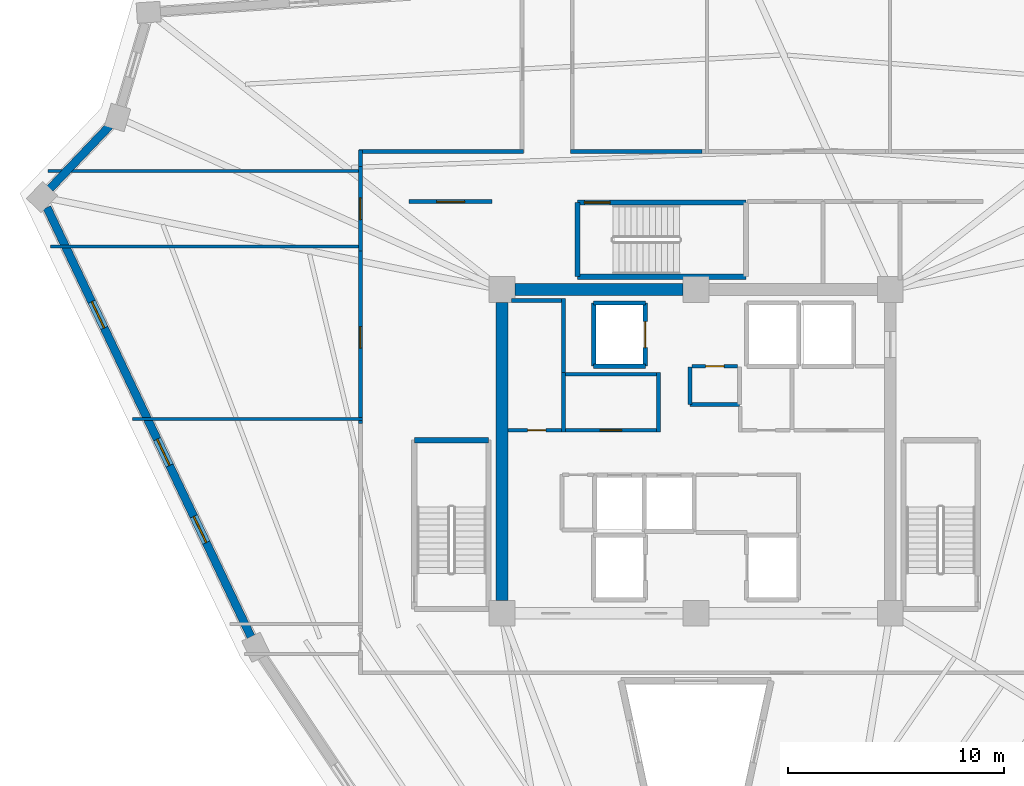
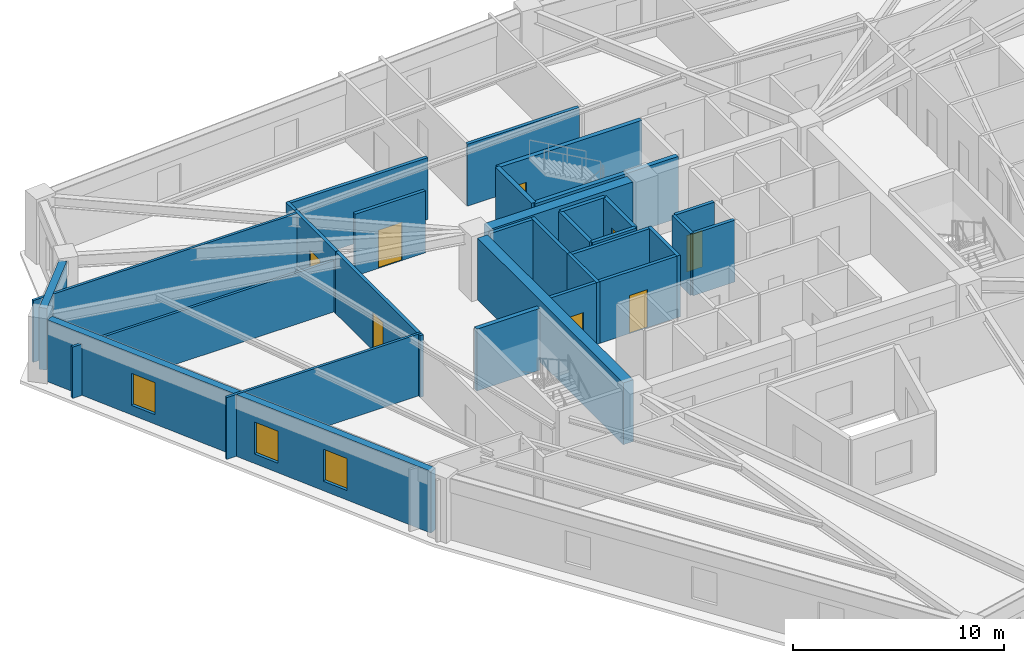
# One storey, part 5 of 8: 31 walls, 8 doors, 3 windows, 11 openings.
"""IFC4 building model written with IfcOpenShell, lengths in metres."""

from ifc_helpers import new_model, si_unit, direction, frame, frame_2d, origin, place, context, subcontext, project, spatial, rectangle, extrude, source, transform, mapped, material, layer, layer_set, type_object, element, fill, save


model = new_model("IFC4")

# Units and contexts
model_context = context("Model", 3, precision=1e-05, world=origin(), true_north=direction((0.0, 1.0)))
body_context = subcontext(model_context, "Body", "Model", "MODEL_VIEW")
ifc_project = project(units=[si_unit("LENGTHUNIT", "METRE"), si_unit("AREAUNIT", "SQUARE_METRE"), si_unit("VOLUMEUNIT", "CUBIC_METRE"), si_unit("PLANEANGLEUNIT", "RADIAN"), si_unit("MASSUNIT", "GRAM", prefix="KILO")], contexts=[model_context])

# Site, building, storey
site_placement = place(None, origin())
site = spatial("IfcSite", under=ifc_project, at=site_placement, CompositionType="ELEMENT")
building_placement = place(site_placement, origin())
building = spatial("IfcBuilding", under=site, at=building_placement, Name="Liaohun Quay Tower", CompositionType="ELEMENT")
storey_placement = place(building_placement, frame((0.0, 0.0, 297.75)))
storey = spatial("IfcBuildingStorey", under=building, at=storey_placement, Name="L77", CompositionType="ELEMENT", Elevation=297.75)

# Walls
ifc_material_1 = material(Name="Concrete C50", Category="concrete")
ifc_layer_1 = layer(ifc_material_1, 0.550048828125, Name="Concrete C50", Category="concrete")
ifc_layer_set_1 = layer_set([ifc_layer_1], Name="Concrete C50")
wall_type_1 = type_object("IfcWallType", Name="WAL-COR-Z4", PredefinedType="SHEAR", material=ifc_layer_set_1)
wall_1_placement = place(storey_placement, frame((51.60009765625, 61.5, 0.0), z_axis=(0.0, 0.0, 1.0), x_axis=(1.0, 0.0, 0.0)))
element("IfcWall", 1, at=wall_1_placement, inside=storey, type_object=wall_type_1, Name="L77 Central Core Shear Wall N-W", PredefinedType="SHEAR", context=body_context, shape_type="SweptSolid", body=[
    extrude(rectangle(XDim=7.7998046875, YDim=0.550048828125, at=frame_2d((3.89990234375, 0.0))), origin(), (0.0, 0.0, 1.0), 3.570068359375),
])
wall_2_placement = place(storey_placement, frame((51.0, 47.10009765625, 0.0), z_axis=(0.0, 0.0, 1.0), x_axis=(0.0, 1.0, 0.0)))
element("IfcWall", 2, at=wall_2_placement, inside=storey, type_object=wall_type_1, Name="L77 Central Core Shear Wall W", PredefinedType="SHEAR", context=body_context, shape_type="SweptSolid", body=[
    extrude(rectangle(XDim=13.7998046875, YDim=0.550048828125, at=frame_2d((6.89990234375, 0.0))), origin(), (0.0, 0.0, 1.0), 3.570068359375),
])
ifc_material_2 = material(Name="Precast concrete C50 insulated sandwich", Category="concrete")
ifc_layer_2 = layer(ifc_material_2, 0.3798828125, Name="Precast concrete C50 insulated sandwich", Category="concrete")
ifc_layer_set_2 = layer_set([ifc_layer_2], Name="Precast concrete C50 insulated sandwich")
wall_type_2 = type_object("IfcWallType", Name="WAL-EXT-Z34", PredefinedType="SOLIDWALL", material=ifc_layer_set_2)
wall_3_placement = place(storey_placement, frame((32.81591796875, 69.089111328125, 0.0), z_axis=(0.0, 0.0, 1.0), x_axis=(-0.689291723618, -0.72448389889, 0.0)))
element("IfcWall", 3, at=wall_3_placement, inside=storey, type_object=wall_type_2, Name="L77 Brutalist Precast Pier Wall 09", PredefinedType="SOLIDWALL", context=body_context, shape_type="SweptSolid", body=[
    extrude(rectangle(XDim=4.009765625, YDim=0.3798828125, at=frame_2d((2.0048828125, 0.0))), origin(), (0.0, 0.0, 1.0), 3.570068359375),
])

# Wall, openings, windows
wall_4_placement = place(storey_placement, frame((29.912109375, 65.304931640625, 0.0), z_axis=(0.0, 0.0, 1.0), x_axis=(0.429331226257, -0.903147107708, 0.0)))
wall_4 = element("IfcWall", 4, at=wall_4_placement, inside=storey, type_object=wall_type_2, Name="L77 Brutalist Precast Pier Wall 10", PredefinedType="SOLIDWALL", context=body_context, shape_type="SweptSolid", body=[
    extrude(rectangle(XDim=22.029541015625, YDim=0.3798828125, at=frame_2d((11.0146484375, 0.0))), origin(), (0.0, 0.0, 1.0), 3.570068359375),
])
shared_shape_1 = source(origin(), body_context, "Body", "SweptSolid", [
    extrude(rectangle(XDim=1.35009765625, YDim=1.85009765625, at=frame_2d((0.675048828125, 0.925048828125))), frame((0.0, 0.199951171875, 0.0), z_axis=(0.0, -1.0, 0.0), x_axis=(1.0, 0.0, 0.0)), (0.0, 0.0, 1.0), 0.39990234375),
])
opening_1_placement = place(wall_4_placement, frame((4.83203125, 0.0, 0.550048828125)))
opening_1 = element("IfcOpeningElement", 5, at=opening_1_placement, cuts=wall_4, Name="Opening W04", PredefinedType="OPENING", context=body_context, shape_type="MappedRepresentation", body=[
    mapped(shared_shape_1, transform((0.0, 0.0, 0.0), x_axis=(1.0, 0.0, 0.0), y_axis=(0.0, 1.0, 0.0), z_axis=(0.0, 0.0, 1.0), scale=1.0)),
])
opening_2_placement = place(wall_4_placement, frame((11.889892578125, 0.0, 0.550048828125)))
opening_2 = element("IfcOpeningElement", 6, at=opening_2_placement, cuts=wall_4, Name="Opening W04", PredefinedType="OPENING", context=body_context, shape_type="MappedRepresentation", body=[
    mapped(shared_shape_1, transform((0.0, 0.0, 0.0), x_axis=(1.0, 0.0, 0.0), y_axis=(0.0, 1.0, 0.0), z_axis=(0.0, 0.0, 1.0), scale=1.0)),
])
opening_3_placement = place(wall_4_placement, frame((15.846923828125, 0.0, 0.550048828125)))
opening_3 = element("IfcOpeningElement", 7, at=opening_3_placement, cuts=wall_4, Name="Opening W04", PredefinedType="OPENING", context=body_context, shape_type="MappedRepresentation", body=[
    mapped(shared_shape_1, transform((0.0, 0.0, 0.0), x_axis=(1.0, 0.0, 0.0), y_axis=(0.0, 1.0, 0.0), z_axis=(0.0, 0.0, 1.0), scale=1.0)),
])
ifc_material_3 = material(Name="Triple Low-E argon glazing in thermally broken aluminium", Category="aluminium")
window_type = type_object("IfcWindowType", Name="WIN-PUN-Z4", PartitioningType="SINGLE_PANEL", PredefinedType="WINDOW", material=ifc_material_3)
shared_shape_2 = source(origin(), body_context, "Body", "SweptSolid", [
    extrude(rectangle(XDim=1.35009765625, YDim=1.85009765625, at=frame_2d((0.675048828125, 0.925048828125))), frame((0.0, 0.030029296875, 0.0), z_axis=(0.0, -1.0, 0.0), x_axis=(1.0, 0.0, 0.0)), (0.0, 0.0, 1.0), 0.06005859375),
])
window_1_placement = place(opening_1_placement, origin())
window_1 = element("IfcWindow", 8, at=window_1_placement, inside=storey, type_object=window_type, Name="L77 Recessed Cold-Climate Punched Window 10-1", OverallHeight=1.85009765625, OverallWidth=1.35009765625, PartitioningType="SINGLE_PANEL", PredefinedType="WINDOW", context=body_context, shape_type="MappedRepresentation", body=[
    mapped(shared_shape_2, transform((0.0, 0.0, 0.0), x_axis=(1.0, 0.0, 0.0), y_axis=(0.0, 1.0, 0.0), z_axis=(0.0, 0.0, 1.0), scale=1.0)),
])
fill(opening_1, window_1)
window_2_placement = place(opening_2_placement, origin())
window_2 = element("IfcWindow", 9, at=window_2_placement, inside=storey, type_object=window_type, Name="L77 Recessed Cold-Climate Punched Window 10-2", OverallHeight=1.85009765625, OverallWidth=1.35009765625, PartitioningType="SINGLE_PANEL", PredefinedType="WINDOW", context=body_context, shape_type="MappedRepresentation", body=[
    mapped(shared_shape_2, transform((0.0, 0.0, 0.0), x_axis=(1.0, 0.0, 0.0), y_axis=(0.0, 1.0, 0.0), z_axis=(0.0, 0.0, 1.0), scale=1.0)),
])
fill(opening_2, window_2)
window_3_placement = place(opening_3_placement, origin())
window_3 = element("IfcWindow", 10, at=window_3_placement, inside=storey, type_object=window_type, Name="L77 Recessed Cold-Climate Punched Window 10-3", OverallHeight=1.85009765625, OverallWidth=1.35009765625, PartitioningType="SINGLE_PANEL", PredefinedType="WINDOW", context=body_context, shape_type="MappedRepresentation", body=[
    mapped(shared_shape_2, transform((0.0, 0.0, 0.0), x_axis=(1.0, 0.0, 0.0), y_axis=(0.0, 1.0, 0.0), z_axis=(0.0, 0.0, 1.0), scale=1.0)),
])
fill(opening_3, window_3)

# Wall, opening, door
ifc_material_4 = material(Name="Autoclaved aerated concrete blockwork", Category="masonry")
ifc_layer_3 = layer(ifc_material_4, 0.179931640625, Name="Autoclaved aerated concrete blockwork", Category="masonry")
ifc_layer_set_3 = layer_set([ifc_layer_3], Name="Autoclaved aerated concrete blockwork")
wall_type_3 = type_object("IfcWallType", Name="WAL-PRT-COR", PredefinedType="PARTITIONING", material=ifc_layer_set_3)
wall_5_placement = place(storey_placement, frame((53.93994140625, 54.97998046875, 0.0), z_axis=(0.0, 0.0, 1.0), x_axis=(1.0, 0.0, 0.0)))
wall_5 = element("IfcWall", 11, at=wall_5_placement, inside=storey, type_object=wall_type_3, Name="L77 Interior Partition Wall 002", PredefinedType="PARTITIONING", context=body_context, shape_type="SweptSolid", body=[
    extrude(rectangle(XDim=4.219970703125, YDim=0.179931640625, at=frame_2d((2.10986328125, 0.0))), origin(), (0.0, 0.0, 1.0), 3.570068359375),
])
shared_shape_3 = source(origin(), body_context, "Body", "SweptSolid", [
    extrude(rectangle(XDim=1.0, YDim=2.199951171875, at=frame_2d((0.5, 1.10009765625))), frame((0.0, 0.099853515625, 0.0), z_axis=(0.0, -1.0, 0.0), x_axis=(1.0, 0.0, 0.0)), (0.0, 0.0, 1.0), 0.199951171875),
])
opening_4_placement = place(wall_5_placement, frame((1.610107421875, 0.0, 0.0)))
opening_4 = element("IfcOpeningElement", 12, at=opening_4_placement, cuts=wall_5, Name="Opening OD1", PredefinedType="OPENING", context=body_context, shape_type="MappedRepresentation", body=[
    mapped(shared_shape_3, transform((0.0, 0.0, 0.0), x_axis=(1.0, 0.0, 0.0), y_axis=(0.0, 1.0, 0.0), z_axis=(0.0, 0.0, 1.0), scale=1.0)),
])
ifc_material_5 = material(Name="Solid-core oak veneer timber leaf in steel frame", Category="steel")
door_type_1 = type_object("IfcDoorType", Name="DOR-OFF-1000", OperationType="NOTDEFINED", PredefinedType="DOOR", material=ifc_material_5)
shared_shape_4 = source(origin(), body_context, "Body", "SweptSolid", [
    extrude(rectangle(XDim=1.0, YDim=2.199951171875, at=frame_2d((0.5, 1.10009765625))), frame((0.0, 0.02490234375, 0.0), z_axis=(0.0, -1.0, 0.0), x_axis=(1.0, 0.0, 0.0)), (0.0, 0.0, 1.0), 0.050048828125),
])
door_1_placement = place(opening_4_placement, origin())
door_1 = element("IfcDoor", 13, at=door_1_placement, inside=storey, type_object=door_type_1, Name="L77 Core Staff Pantry and Tea Room Door", OperationType="SINGLE_SWING_RIGHT", OverallHeight=2.199951171875, OverallWidth=1.0, PredefinedType="DOOR", context=body_context, shape_type="MappedRepresentation", body=[
    mapped(shared_shape_4, transform((0.0, 0.0, 0.0), x_axis=(1.0, 0.0, 0.0), y_axis=(0.0, 1.0, 0.0), z_axis=(0.0, 0.0, 1.0), scale=1.0)),
])
fill(opening_4, door_1)

wall_6_placement = place(storey_placement, frame((51.27490234375, 54.97998046875, 0.0), z_axis=(0.0, 0.0, 1.0), x_axis=(1.0, 0.0, 0.0)))
wall_6 = element("IfcWall", 14, at=wall_6_placement, inside=storey, type_object=wall_type_3, Name="L77 Interior Partition Wall 003", PredefinedType="PARTITIONING", context=body_context, shape_type="SweptSolid", body=[
    extrude(rectangle(XDim=2.485107421875, YDim=0.179931640625, at=frame_2d((1.24267578125, 0.0))), origin(), (0.0, 0.0, 1.0), 3.570068359375),
])
shared_shape_5 = source(origin(), body_context, "Body", "SweptSolid", [
    extrude(rectangle(XDim=0.85009765625, YDim=2.10009765625, at=frame_2d((0.425048828125, 1.050048828125))), frame((0.0, 0.099853515625, 0.0), z_axis=(0.0, -1.0, 0.0), x_axis=(1.0, 0.0, 0.0)), (0.0, 0.0, 1.0), 0.199951171875),
])
opening_5_placement = place(wall_6_placement, frame((0.9150390625, 0.0, 0.0)))
opening_5 = element("IfcOpeningElement", 15, at=opening_5_placement, cuts=wall_6, Name="Opening AD1", PredefinedType="OPENING", context=body_context, shape_type="MappedRepresentation", body=[
    mapped(shared_shape_5, transform((0.0, 0.0, 0.0), x_axis=(1.0, 0.0, 0.0), y_axis=(0.0, 1.0, 0.0), z_axis=(0.0, 0.0, 1.0), scale=1.0)),
])
ifc_material_6 = material(Name="Steel riser inspection fire door", Category="steel")
door_type_2 = type_object("IfcDoorType", Name="DOR-SHF-850", OperationType="NOTDEFINED", PredefinedType="DOOR", material=ifc_material_6)
shared_shape_6 = source(origin(), body_context, "Body", "SweptSolid", [
    extrude(rectangle(XDim=0.85009765625, YDim=2.10009765625, at=frame_2d((0.425048828125, 1.050048828125))), frame((0.0, 0.02490234375, 0.0), z_axis=(0.0, -1.0, 0.0), x_axis=(1.0, 0.0, 0.0)), (0.0, 0.0, 1.0), 0.050048828125),
])
door_2_placement = place(opening_5_placement, origin())
door_2 = element("IfcDoor", 16, at=door_2_placement, inside=storey, type_object=door_type_2, Name="L77 Core High-Zone Archive and Riser Store Door", OperationType="SINGLE_SWING_LEFT", OverallHeight=2.10009765625, OverallWidth=0.85009765625, PredefinedType="DOOR", context=body_context, shape_type="MappedRepresentation", body=[
    mapped(shared_shape_6, transform((0.0, 0.0, 0.0), x_axis=(1.0, 0.0, 0.0), y_axis=(0.0, 1.0, 0.0), z_axis=(0.0, 0.0, 1.0), scale=1.0)),
])
fill(opening_5, door_2)

wall_7_placement = place(storey_placement, frame((59.81005859375, 57.949951171875, 0.0), z_axis=(0.0, 0.0, 1.0), x_axis=(1.0, 0.0, 0.0)))
wall_7 = element("IfcWall", 17, at=wall_7_placement, inside=storey, type_object=wall_type_3, Name="L77 Interior Partition Wall 006", PredefinedType="PARTITIONING", context=body_context, shape_type="SweptSolid", body=[
    extrude(rectangle(XDim=2.10986328125, YDim=0.179931640625, at=frame_2d((1.054931640625, 0.0))), origin(), (0.0, 0.0, 1.0), 3.570068359375),
])
opening_6_placement = place(wall_7_placement, frame((0.635009765625, 0.0, 0.0)))
opening_6 = element("IfcOpeningElement", 18, at=opening_6_placement, cuts=wall_7, Name="Opening AD1", PredefinedType="OPENING", context=body_context, shape_type="MappedRepresentation", body=[
    mapped(shared_shape_5, transform((0.0, 0.0, 0.0), x_axis=(1.0, 0.0, 0.0), y_axis=(0.0, 1.0, 0.0), z_axis=(0.0, 0.0, 1.0), scale=1.0)),
])
door_3_placement = place(opening_6_placement, origin())
door_3 = element("IfcDoor", 19, at=door_3_placement, inside=storey, type_object=door_type_2, Name="L77 Core Janitor and Cleaner Store Door", OperationType="SINGLE_SWING_RIGHT", OverallHeight=2.10009765625, OverallWidth=0.85009765625, PredefinedType="DOOR", context=body_context, shape_type="MappedRepresentation", body=[
    mapped(shared_shape_6, transform((0.0, 0.0, 0.0), x_axis=(1.0, 0.0, 0.0), y_axis=(0.0, 1.0, 0.0), z_axis=(0.0, 0.0, 1.0), scale=1.0)),
])
fill(opening_6, door_3)

wall_8_placement = place(storey_placement, frame((46.699951171875, 65.580078125, 0.0), z_axis=(0.0, 0.0, 1.0), x_axis=(1.0, 0.0, 0.0)))
wall_8 = element("IfcWall", 20, at=wall_8_placement, inside=storey, type_object=wall_type_3, Name="L77 Interior Partition Wall 013", PredefinedType="PARTITIONING", context=body_context, shape_type="SweptSolid", body=[
    extrude(rectangle(XDim=3.840087890625, YDim=0.179931640625, at=frame_2d((1.919921875, 0.0))), origin(), (0.0, 0.0, 1.0), 3.570068359375),
])
shared_shape_7 = source(origin(), body_context, "Body", "SweptSolid", [
    extrude(rectangle(XDim=1.300048828125, YDim=2.199951171875, at=frame_2d((0.64990234375, 1.10009765625))), frame((0.0, 0.099853515625, 0.0), z_axis=(0.0, -1.0, 0.0), x_axis=(1.0, 0.0, 0.0)), (0.0, 0.0, 1.0), 0.199951171875),
])
opening_7_placement = place(wall_8_placement, frame((1.27001953125, 0.0, 0.0)))
opening_7 = element("IfcOpeningElement", 21, at=opening_7_placement, cuts=wall_8, Name="Opening FD1", PredefinedType="OPENING", context=body_context, shape_type="MappedRepresentation", body=[
    mapped(shared_shape_7, transform((0.0, 0.0, 0.0), x_axis=(1.0, 0.0, 0.0), y_axis=(0.0, 1.0, 0.0), z_axis=(0.0, 0.0, 1.0), scale=1.0)),
])
ifc_material_7 = material(Name="Galvanised steel smokeproof fire door", Category="steel")
door_type_3 = type_object("IfcDoorType", Name="DOR-FFL-1300", OperationType="NOTDEFINED", PredefinedType="DOOR", material=ifc_material_7)
shared_shape_8 = source(origin(), body_context, "Body", "SweptSolid", [
    extrude(rectangle(XDim=1.300048828125, YDim=2.199951171875, at=frame_2d((0.64990234375, 1.10009765625))), frame((0.0, 0.02490234375, 0.0), z_axis=(0.0, -1.0, 0.0), x_axis=(1.0, 0.0, 0.0)), (0.0, 0.0, 1.0), 0.050048828125),
])
door_4_placement = place(opening_7_placement, origin())
door_4 = element("IfcDoor", 22, at=door_4_placement, inside=storey, type_object=door_type_3, Name="L77 West Core Vestibule Door", OperationType="SINGLE_SWING_LEFT", OverallHeight=2.199951171875, OverallWidth=1.300048828125, PredefinedType="DOOR", context=body_context, shape_type="MappedRepresentation", body=[
    mapped(shared_shape_8, transform((0.0, 0.0, 0.0), x_axis=(1.0, 0.0, 0.0), y_axis=(0.0, 1.0, 0.0), z_axis=(0.0, 0.0, 1.0), scale=1.0)),
])
fill(opening_7, door_4)

wall_9_placement = place(storey_placement, frame((44.43994140625, 63.284912109375, 0.0), z_axis=(0.0, 0.0, 1.0), x_axis=(0.0, 1.0, 0.0)))
wall_9 = element("IfcWall", 23, at=wall_9_placement, inside=storey, type_object=wall_type_3, Name="L77 Interior Partition Wall 020", PredefinedType="PARTITIONING", context=body_context, shape_type="SweptSolid", body=[
    extrude(rectangle(XDim=3.93017578125, YDim=0.179931640625, at=frame_2d((1.965087890625, 0.0))), origin(), (0.0, 0.0, 1.0), 3.570068359375),
])
opening_8_placement = place(wall_9_placement, frame((1.465087890625, 0.0, 0.0)))
opening_8 = element("IfcOpeningElement", 24, at=opening_8_placement, cuts=wall_9, Name="Opening OD1", PredefinedType="OPENING", context=body_context, shape_type="MappedRepresentation", body=[
    mapped(shared_shape_3, transform((0.0, 0.0, 0.0), x_axis=(1.0, 0.0, 0.0), y_axis=(0.0, 1.0, 0.0), z_axis=(0.0, 0.0, 1.0), scale=1.0)),
])
door_5_placement = place(opening_8_placement, origin())
door_5 = element("IfcDoor", 25, at=door_5_placement, inside=storey, type_object=door_type_1, Name="L77 Staff Tea Kitchen and Pantry 06 Door", OperationType="SINGLE_SWING_RIGHT", OverallHeight=2.199951171875, OverallWidth=1.0, PredefinedType="DOOR", context=body_context, shape_type="MappedRepresentation", body=[
    mapped(shared_shape_4, transform((0.0, 0.0, 0.0), x_axis=(1.0, 0.0, 0.0), y_axis=(0.0, 1.0, 0.0), z_axis=(0.0, 0.0, 1.0), scale=1.0)),
])
fill(opening_8, door_5)

wall_10_placement = place(storey_placement, frame((44.43994140625, 55.284912109375, 0.0), z_axis=(0.0, 0.0, 1.0), x_axis=(0.0, 1.0, 0.0)))
wall_10 = element("IfcWall", 26, at=wall_10_placement, inside=storey, type_object=wall_type_3, Name="L77 Interior Partition Wall 021", PredefinedType="PARTITIONING", context=body_context, shape_type="SweptSolid", body=[
    extrude(rectangle(XDim=8.0, YDim=0.179931640625, at=frame_2d((4.0, 0.0))), origin(), (0.0, 0.0, 1.0), 3.570068359375),
])
opening_9_placement = place(wall_10_placement, frame((3.5, 0.0, 0.0)))
opening_9 = element("IfcOpeningElement", 27, at=opening_9_placement, cuts=wall_10, Name="Opening OD1", PredefinedType="OPENING", context=body_context, shape_type="MappedRepresentation", body=[
    mapped(shared_shape_3, transform((0.0, 0.0, 0.0), x_axis=(1.0, 0.0, 0.0), y_axis=(0.0, 1.0, 0.0), z_axis=(0.0, 0.0, 1.0), scale=1.0)),
])
door_6_placement = place(opening_9_placement, origin())
door_6 = element("IfcDoor", 28, at=door_6_placement, inside=storey, type_object=door_type_1, Name="L77 Engineering Model Workshop 07 Door", OperationType="SINGLE_SWING_LEFT", OverallHeight=2.199951171875, OverallWidth=1.0, PredefinedType="DOOR", context=body_context, shape_type="MappedRepresentation", body=[
    mapped(shared_shape_4, transform((0.0, 0.0, 0.0), x_axis=(1.0, 0.0, 0.0), y_axis=(0.0, 1.0, 0.0), z_axis=(0.0, 0.0, 1.0), scale=1.0)),
])
fill(opening_9, door_6)

# Walls
wall_11_placement = place(storey_placement, frame((59.719970703125, 56.179931640625, 0.0), z_axis=(0.0, 0.0, 1.0), x_axis=(0.0, 1.0, 0.0)))
element("IfcWall", 29, at=wall_11_placement, inside=storey, type_object=wall_type_3, Name="L77 Interior Partition Wall 028", PredefinedType="PARTITIONING", context=body_context, shape_type="SweptSolid", body=[
    extrude(rectangle(XDim=1.739990234375, YDim=0.179931640625, at=frame_2d((0.8701171875, 0.0))), origin(), (0.0, 0.0, 1.0), 3.570068359375),
])
wall_12_placement = place(storey_placement, frame((59.719970703125, 56.179931640625, 0.0), z_axis=(0.0, 0.0, 1.0), x_axis=(1.0, 0.0, 0.0)))
element("IfcWall", 30, at=wall_12_placement, inside=storey, type_object=wall_type_3, Name="L77 Interior Partition Wall 030", PredefinedType="PARTITIONING", context=body_context, shape_type="SweptSolid", body=[
    extrude(rectangle(XDim=2.2900390625, YDim=0.179931640625, at=frame_2d((1.14501953125, 0.0))), origin(), (0.0, 0.0, 1.0), 3.570068359375),
])
wall_13_placement = place(storey_placement, frame((54.18994140625, 67.909912109375, 0.0), z_axis=(0.0, 0.0, 1.0), x_axis=(1.0, 0.0, 0.0)))
element("IfcWall", 31, at=wall_13_placement, inside=storey, type_object=wall_type_3, Name="L77 Interior Partition Wall 042", PredefinedType="PARTITIONING", context=body_context, shape_type="SweptSolid", body=[
    extrude(rectangle(XDim=6.094970703125, YDim=0.179931640625, at=frame_2d((3.04736328125, 0.0))), origin(), (0.0, 0.0, 1.0), 3.570068359375),
])
wall_14_placement = place(storey_placement, frame((44.3701171875, 67.909912109375, 0.0), z_axis=(0.0, 0.0, 1.0), x_axis=(1.0, 0.0, 0.0)))
element("IfcWall", 32, at=wall_14_placement, inside=storey, type_object=wall_type_3, Name="L77 Interior Partition Wall 043", PredefinedType="PARTITIONING", context=body_context, shape_type="SweptSolid", body=[
    extrude(rectangle(XDim=7.639892578125, YDim=0.179931640625, at=frame_2d((3.81982421875, 0.0))), origin(), (0.0, 0.0, 1.0), 3.570068359375),
])
wall_15_placement = place(storey_placement, frame((44.43994140625, 67.215087890625, 0.0), z_axis=(0.0, 0.0, 1.0), x_axis=(0.0, 1.0, 0.0)))
element("IfcWall", 33, at=wall_15_placement, inside=storey, type_object=wall_type_3, Name="L77 Interior Partition Wall 044", PredefinedType="PARTITIONING", context=body_context, shape_type="SweptSolid", body=[
    extrude(rectangle(XDim=0.764892578125, YDim=0.179931640625, at=frame_2d((0.38232421875, 0.0))), origin(), (0.0, 0.0, 1.0), 3.570068359375),
])
for number, where, z_axis, x_axis, name in (
    (34, (53.85009765625, 54.889892578125, 0.0), (0.0, 0.0, 1.0), (0.0, 1.0, 0.0), "L77 Interior Partition Wall 061"),
    (35, (58.25, 54.889892578125, 0.0), (0.0, 0.0, 1.0), (0.0, 1.0, 0.0), "L77 Interior Partition Wall 062"),
):
    element("IfcWall", number, at=place(storey_placement, frame(where, z_axis=z_axis, x_axis=x_axis)), inside=storey, type_object=wall_type_3, Name=name, PredefinedType="PARTITIONING", context=body_context, shape_type="SweptSolid", body=[
        extrude(rectangle(XDim=2.780029296875, YDim=0.179931640625, at=frame_2d((1.39013671875, 0.0))), origin(), (0.0, 0.0, 1.0), 3.570068359375),
    ])
wall_16_placement = place(storey_placement, frame((53.93994140625, 57.580078125, 0.0), z_axis=(0.0, 0.0, 1.0), x_axis=(1.0, 0.0, 0.0)))
element("IfcWall", 36, at=wall_16_placement, inside=storey, type_object=wall_type_3, Name="L77 Interior Partition Wall 063", PredefinedType="PARTITIONING", context=body_context, shape_type="SweptSolid", body=[
    extrude(rectangle(XDim=4.219970703125, YDim=0.179931640625, at=frame_2d((2.10986328125, 0.0))), origin(), (0.0, 0.0, 1.0), 3.570068359375),
])
wall_17_placement = place(storey_placement, frame((53.85009765625, 57.669921875, 0.0), z_axis=(0.0, 0.0, 1.0), x_axis=(0.0, 1.0, 0.0)))
element("IfcWall", 37, at=wall_17_placement, inside=storey, type_object=wall_type_3, Name="L77 Interior Partition Wall 064", PredefinedType="PARTITIONING", context=body_context, shape_type="SweptSolid", body=[
    extrude(rectangle(XDim=3.420166015625, YDim=0.179931640625, at=frame_2d((1.7099609375, 0.0))), origin(), (0.0, 0.0, 1.0), 3.570068359375),
])
wall_18_placement = place(storey_placement, frame((51.43701171875, 61.0, 0.0), z_axis=(0.0, 0.0, 1.0), x_axis=(1.0, 0.0, 0.0)))
element("IfcWall", 38, at=wall_18_placement, inside=storey, type_object=wall_type_3, Name="L77 Interior Partition Wall 065", PredefinedType="PARTITIONING", context=body_context, shape_type="SweptSolid", body=[
    extrude(rectangle(XDim=2.322998046875, YDim=0.179931640625, at=frame_2d((1.16162109375, 0.0))), origin(), (0.0, 0.0, 1.0), 3.570068359375),
])
ifc_material_8 = material(Name="Gypsum board on twin steel studs", Category="steel")
ifc_layer_4 = layer(ifc_material_8, 0.139892578125, Name="Gypsum board on twin steel studs", Category="steel")
ifc_layer_set_4 = layer_set([ifc_layer_4], Name="Gypsum board on twin steel studs")
wall_type_4 = type_object("IfcWallType", Name="WAL-PRT-OFF", PredefinedType="PARTITIONING", material=ifc_layer_set_4)
wall_19_placement = place(storey_placement, frame((44.5400390625, 55.5, 0.0), z_axis=(0.0, 0.0, 1.0), x_axis=(-1.0, 0.0, 0.0)))
element("IfcWall", 39, at=wall_19_placement, inside=storey, type_object=wall_type_4, Name="L77 Interior Partition Wall 051", PredefinedType="PARTITIONING", context=body_context, shape_type="SweptSolid", body=[
    extrude(rectangle(XDim=10.6640625, YDim=0.139892578125, at=frame_2d((5.33203125, 0.0))), origin(), (0.0, 0.0, 1.0), 3.570068359375),
])
wall_20_placement = place(storey_placement, frame((44.5400390625, 63.5, 0.0), z_axis=(0.0, 0.0, 1.0), x_axis=(-1.0, 0.0, 0.0)))
element("IfcWall", 40, at=wall_20_placement, inside=storey, type_object=wall_type_4, Name="L77 Interior Partition Wall 052", PredefinedType="PARTITIONING", context=body_context, shape_type="SweptSolid", body=[
    extrude(rectangle(XDim=14.467041015625, YDim=0.139892578125, at=frame_2d((7.2333984375, 0.0))), origin(), (0.0, 0.0, 1.0), 2.967041015625),
])
wall_21_placement = place(storey_placement, frame((44.5400390625, 67.0, 0.0), z_axis=(0.0, 0.0, 1.0), x_axis=(-1.0, 0.0, 0.0)))
element("IfcWall", 41, at=wall_21_placement, inside=storey, type_object=wall_type_4, Name="L77 Interior Partition Wall 053", PredefinedType="PARTITIONING", context=body_context, shape_type="SweptSolid", body=[
    extrude(rectangle(XDim=14.5810546875, YDim=0.139892578125, at=frame_2d((7.29052734375, 0.0))), origin(), (0.0, 0.0, 1.0), 3.570068359375),
])
ifc_layer_5 = layer(ifc_material_1, 0.239990234375, Name="Concrete C50", Category="concrete")
ifc_layer_set_5 = layer_set([ifc_layer_5], Name="Concrete C50")
wall_type_5 = type_object("IfcWallType", Name="WAL-SHF-200", PredefinedType="SOLIDWALL", material=ifc_layer_set_5)
wall_22_placement = place(storey_placement, frame((50.3798828125, 54.52001953125, 0.0), z_axis=(0.0, 0.0, 1.0), x_axis=(-1.0, 0.0, 0.0)))
element("IfcWall", 42, at=wall_22_placement, inside=storey, type_object=wall_type_5, Name="L77 Stairwell ST-1 Structural Core Wall N", PredefinedType="SOLIDWALL", context=body_context, shape_type="SweptSolid", body=[
    extrude(rectangle(XDim=3.43994140625, YDim=0.239990234375, at=frame_2d((1.719970703125, 0.0))), origin(), (0.0, 0.0, 1.0), 3.570068359375),
])
wall_23_placement = place(storey_placement, frame((54.5, 62.10009765625, 0.0), z_axis=(0.0, 0.0, 1.0), x_axis=(1.0, 0.0, 0.0)))
element("IfcWall", 43, at=wall_23_placement, inside=storey, type_object=wall_type_5, Name="L77 Stairwell ST-3 Structural Core Wall S", PredefinedType="SOLIDWALL", context=body_context, shape_type="SweptSolid", body=[
    extrude(rectangle(XDim=7.820068359375, YDim=0.239990234375, at=frame_2d((3.91015625, 0.0))), origin(), (0.0, 0.0, 1.0), 3.570068359375),
])

# Wall, opening, door
wall_24_placement = place(storey_placement, frame((62.320068359375, 65.5400390625, 0.0), z_axis=(0.0, 0.0, 1.0), x_axis=(-1.0, 0.0, 0.0)))
wall_24 = element("IfcWall", 44, at=wall_24_placement, inside=storey, type_object=wall_type_5, Name="L77 Stairwell ST-3 Structural Core Wall N", PredefinedType="SOLIDWALL", context=body_context, shape_type="SweptSolid", body=[
    extrude(rectangle(XDim=7.820068359375, YDim=0.239990234375, at=frame_2d((3.91015625, 0.0))), origin(), (0.0, 0.0, 1.0), 3.570068359375),
])
shared_shape_9 = source(origin(), body_context, "Body", "SweptSolid", [
    extrude(rectangle(XDim=1.199951171875, YDim=2.199951171875, at=frame_2d((0.60009765625, 1.10009765625))), frame((0.0, 0.1298828125, 0.0), z_axis=(0.0, -1.0, 0.0), x_axis=(1.0, 0.0, 0.0)), (0.0, 0.0, 1.0), 0.260009765625),
])
opening_10_placement = place(wall_24_placement, frame((6.300048828125, 0.0, 0.0)))
opening_10 = element("IfcOpeningElement", 45, at=opening_10_placement, cuts=wall_24, Name="Opening SD1", PredefinedType="OPENING", context=body_context, shape_type="MappedRepresentation", body=[
    mapped(shared_shape_9, transform((0.0, 0.0, 0.0), x_axis=(1.0, 0.0, 0.0), y_axis=(0.0, 1.0, 0.0), z_axis=(0.0, 0.0, 1.0), scale=1.0)),
])
ifc_material_9 = material(Name="Galvanised steel fire door", Category="steel")
door_type_4 = type_object("IfcDoorType", Name="DOR-STR-1200", OperationType="NOTDEFINED", PredefinedType="DOOR", material=ifc_material_9)
shared_shape_10 = source(origin(), body_context, "Body", "SweptSolid", [
    extrude(rectangle(XDim=1.199951171875, YDim=2.199951171875, at=frame_2d((0.60009765625, 1.10009765625))), frame((0.0, 0.02490234375, 0.0), z_axis=(0.0, -1.0, 0.0), x_axis=(1.0, 0.0, 0.0)), (0.0, 0.0, 1.0), 0.050048828125),
])
door_7_placement = place(opening_10_placement, origin())
door_7 = element("IfcDoor", 46, at=door_7_placement, inside=storey, type_object=door_type_4, Name="L77 Protected Stair ST-3 Fire Door", OperationType="SINGLE_SWING_RIGHT", OverallHeight=2.199951171875, OverallWidth=1.199951171875, PredefinedType="DOOR", context=body_context, shape_type="MappedRepresentation", body=[
    mapped(shared_shape_10, transform((0.0, 0.0, 0.0), x_axis=(1.0, 0.0, 0.0), y_axis=(0.0, 1.0, 0.0), z_axis=(0.0, 0.0, 1.0), scale=1.0)),
])
fill(opening_10, door_7)

# Walls
wall_25_placement = place(storey_placement, frame((54.5, 65.5400390625, 0.0), z_axis=(0.0, 0.0, 1.0), x_axis=(0.0, -1.0, 0.0)))
element("IfcWall", 47, at=wall_25_placement, inside=storey, type_object=wall_type_5, Name="L77 Stairwell ST-3 Structural Core Wall W", PredefinedType="SOLIDWALL", context=body_context, shape_type="SweptSolid", body=[
    extrude(rectangle(XDim=3.43994140625, YDim=0.239990234375, at=frame_2d((1.719970703125, 0.0))), origin(), (0.0, 0.0, 1.0), 3.570068359375),
])
wall_26_placement = place(storey_placement, frame((55.25, 57.949951171875, 0.0), z_axis=(0.0, 0.0, 1.0), x_axis=(1.0, 0.0, 0.0)))
element("IfcWall", 48, at=wall_26_placement, inside=storey, type_object=wall_type_5, Name="L77 Lift FF-03 Hoistway Wall S", PredefinedType="SOLIDWALL", context=body_context, shape_type="SweptSolid", body=[
    extrude(rectangle(XDim=2.39990234375, YDim=0.199951171875, at=frame_2d((1.199951171875, 0.0))), origin(), (0.0, 0.0, 1.0), 3.570068359375),
])

# Wall, opening, door
wall_27_placement = place(storey_placement, frame((57.64990234375, 57.949951171875, 0.0), z_axis=(0.0, 0.0, 1.0), x_axis=(0.0, 1.0, 0.0)))
wall_27 = element("IfcWall", 49, at=wall_27_placement, inside=storey, type_object=wall_type_5, Name="L77 Lift FF-03 Hoistway Wall E", PredefinedType="SOLIDWALL", context=body_context, shape_type="SweptSolid", body=[
    extrude(rectangle(XDim=2.929931640625, YDim=0.199951171875, at=frame_2d((1.46484375, 0.0))), origin(), (0.0, 0.0, 1.0), 3.570068359375),
])
shared_shape_11 = source(origin(), body_context, "Body", "SweptSolid", [
    extrude(rectangle(XDim=1.199951171875, YDim=2.300048828125, at=frame_2d((0.60009765625, 1.14990234375))), frame((0.0, 0.10986328125, 0.0), z_axis=(0.0, -1.0, 0.0), x_axis=(1.0, 0.0, 0.0)), (0.0, 0.0, 1.0), 0.219970703125),
])
opening_11_placement = place(wall_27_placement, frame((0.864990234375, 0.0, 0.0)))
opening_11 = element("IfcOpeningElement", 50, at=opening_11_placement, cuts=wall_27, Name="Opening LD2", PredefinedType="OPENING", context=body_context, shape_type="MappedRepresentation", body=[
    mapped(shared_shape_11, transform((0.0, 0.0, 0.0), x_axis=(1.0, 0.0, 0.0), y_axis=(0.0, 1.0, 0.0), z_axis=(0.0, 0.0, 1.0), scale=1.0)),
])
ifc_material_10 = material(Name="Brushed stainless steel stretcher landing door", Category="steel")
door_type_5 = type_object("IfcDoorType", Name="DOR-LFT-1200", OperationType="SLIDING_TO_LEFT", PredefinedType="DOOR", material=ifc_material_10)
shared_shape_12 = source(origin(), body_context, "Body", "SweptSolid", [
    extrude(rectangle(XDim=1.199951171875, YDim=2.300048828125, at=frame_2d((0.60009765625, 1.14990234375))), frame((0.0, 0.02490234375, 0.0), z_axis=(0.0, -1.0, 0.0), x_axis=(1.0, 0.0, 0.0)), (0.0, 0.0, 1.0), 0.050048828125),
])
door_8_placement = place(opening_11_placement, origin())
door_8 = element("IfcDoor", 51, at=door_8_placement, inside=storey, type_object=door_type_5, Name="L77 Lift FF-03 Sliding Landing Door", OperationType="SLIDING_TO_LEFT", OverallHeight=2.300048828125, OverallWidth=1.199951171875, PredefinedType="DOOR", context=body_context, shape_type="MappedRepresentation", body=[
    mapped(shared_shape_12, transform((0.0, 0.0, 0.0), x_axis=(1.0, 0.0, 0.0), y_axis=(0.0, 1.0, 0.0), z_axis=(0.0, 0.0, 1.0), scale=1.0)),
])
fill(opening_11, door_8)

# Walls
wall_28_placement = place(storey_placement, frame((57.64990234375, 60.8798828125, 0.0), z_axis=(0.0, 0.0, 1.0), x_axis=(-1.0, 0.0, 0.0)))
element("IfcWall", 52, at=wall_28_placement, inside=storey, type_object=wall_type_5, Name="L77 Lift FF-03 Hoistway Wall N", PredefinedType="SOLIDWALL", context=body_context, shape_type="SweptSolid", body=[
    extrude(rectangle(XDim=2.39990234375, YDim=0.199951171875, at=frame_2d((1.199951171875, 0.0))), origin(), (0.0, 0.0, 1.0), 3.570068359375),
])
wall_29_placement = place(storey_placement, frame((55.25, 60.8798828125, 0.0), z_axis=(0.0, 0.0, 1.0), x_axis=(0.0, -1.0, 0.0)))
element("IfcWall", 53, at=wall_29_placement, inside=storey, type_object=wall_type_5, Name="L77 Lift FF-03 Hoistway Wall W", PredefinedType="SOLIDWALL", context=body_context, shape_type="SweptSolid", body=[
    extrude(rectangle(XDim=2.929931640625, YDim=0.199951171875, at=frame_2d((1.46484375, 0.0))), origin(), (0.0, 0.0, 1.0), 3.570068359375),
])

save(model, "model.ifc")
